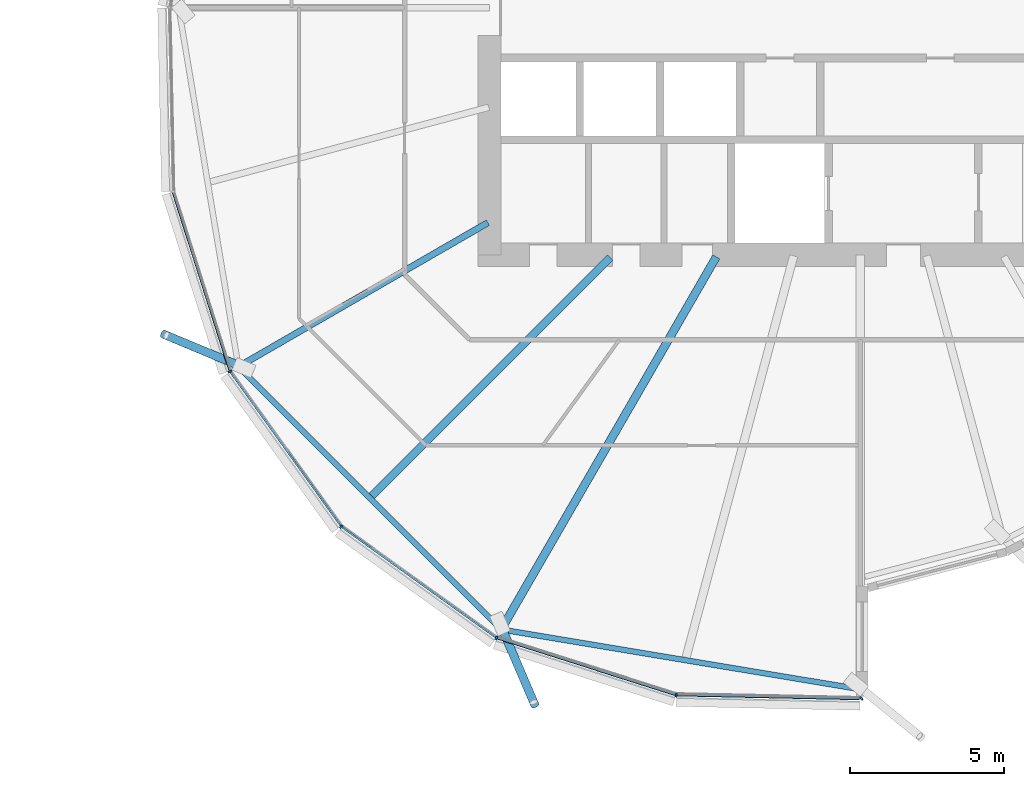
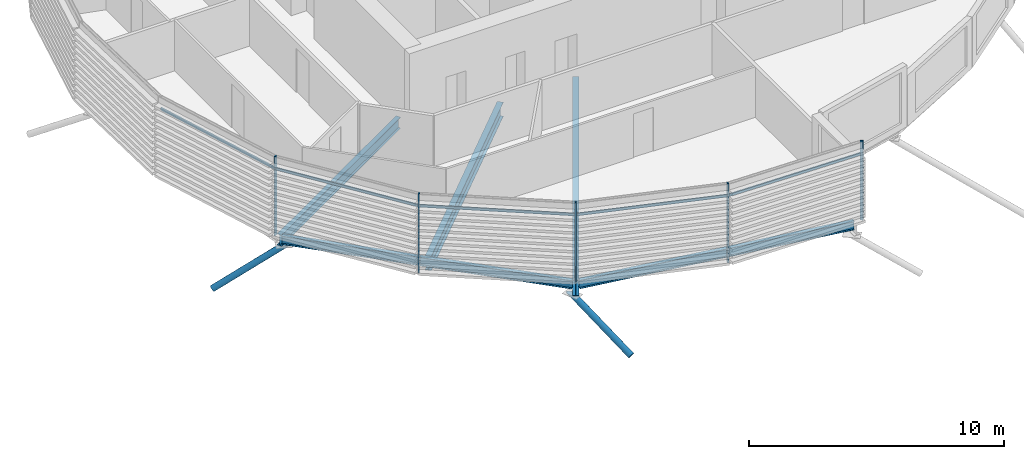
# One storey, part 12 of 40: 12 members, 5 beams, 1 element without a shape of its own.
"""IFC4 building model written with IfcOpenShell, lengths in metres."""

import ifcopenshell
import ifcopenshell.guid

model = None  # the IFC model being written
_history = None  # IfcOwnerHistory: only IFC2X3 demands one
_inside = {}  # id of a spatial element -> (the spatial element, [elements in it])
_under = {}  # id of a project, library or spatial element -> (it, [spatial elements below it])
_declared = {}  # id of a project -> (the project, [libraries it declares])
_typed = {}  # id of a type object -> (the type object, [elements of that type])
_made_of = {}  # id of a material, layer set ... -> (it, [elements and type objects made of it])


def new_model(schema):
    """Start an empty IFC model of exactly this schema.

    Asked for "IFC4X3", IfcOpenShell would pick the latest addendum, in which some entities
    have other attributes; the version numbers below select the first issue.
    IFC2X3 requires an IfcOwnerHistory on every rooted entity: one is made here for all.
    """
    global model, _history
    if schema == "IFC4X3":
        model = ifcopenshell.file(schema_version=(4, 3, 0, 0))
    else:
        model = ifcopenshell.file(schema=schema)
    _inside.clear()
    _under.clear()
    _declared.clear()
    _typed.clear()
    _made_of.clear()
    _history = None
    if model.schema == "IFC2X3":
        org = make("IfcOrganization", Name="unknown")
        user = make(
            "IfcPersonAndOrganization",
            ThePerson=make("IfcPerson", FamilyName="unknown"),
            TheOrganization=org,
        )
        app = make(
            "IfcApplication",
            ApplicationDeveloper=org,
            Version="unknown",
            ApplicationFullName="unknown",
            ApplicationIdentifier="unknown",
        )
        _history = make(
            "IfcOwnerHistory",
            OwningUser=user,
            OwningApplication=app,
            ChangeAction="ADDED",
            CreationDate=0,
        )
    return model


def make(cls, **values):
    """One entity of the class cls with the attributes given. An attribute that is None is left unset."""
    return model.create_entity(
        cls, **{name: value for name, value in values.items() if value is not None}
    )


def rooted(cls, **values):
    """An entity with a GlobalId (a new one), such as an element, a storey or a relation."""
    return make(cls, GlobalId=ifcopenshell.guid.new(), OwnerHistory=_history, **values)


def si_unit(unit_type, name, prefix=None):
    """IfcSIUnit, for example si_unit("LENGTHUNIT", "METRE", prefix="MILLI")."""
    return make("IfcSIUnit", UnitType=unit_type, Prefix=prefix, Name=name)


def assignment(units):
    """IfcUnitAssignment: the units of a project."""
    return None if units is None else make("IfcUnitAssignment", Units=units)


def point(xyz):
    """IfcCartesianPoint."""
    return None if xyz is None else make("IfcCartesianPoint", Coordinates=xyz)


def direction(xyz):
    """IfcDirection."""
    return None if xyz is None else make("IfcDirection", DirectionRatios=xyz)


def frame(location, z_axis=None, x_axis=None):
    """IfcAxis2Placement3D, a coordinate frame: its origin and axes. An axis left out is left unset."""
    return make(
        "IfcAxis2Placement3D",
        Location=point(location),
        Axis=direction(z_axis),
        RefDirection=direction(x_axis),
    )


def frame_2d(location, x_axis=None):
    """IfcAxis2Placement2D, a coordinate frame in the plane: its origin and x axis."""
    return make(
        "IfcAxis2Placement2D", Location=point(location), RefDirection=direction(x_axis)
    )


def origin():
    """The frame at (0, 0, 0) with its axes left unset."""
    return frame((0.0, 0.0, 0.0))


def origin_2d():
    """The frame at (0, 0) in the plane with its x axis left unset."""
    return frame_2d((0.0, 0.0))


def place(relative_to, where):
    """IfcLocalPlacement: puts the frame where relative to a parent placement (None: the world)."""
    return make(
        "IfcLocalPlacement", PlacementRelTo=relative_to, RelativePlacement=where
    )


def context(
    kind, dimensions, precision=None, world=None, true_north=None, identifier=None
):
    """IfcGeometricRepresentationContext, for example the 3D "Model" context."""
    return make(
        "IfcGeometricRepresentationContext",
        ContextIdentifier=identifier,
        ContextType=kind,
        CoordinateSpaceDimension=dimensions,
        Precision=precision,
        WorldCoordinateSystem=world,
        TrueNorth=true_north,
    )


def subcontext(parent, identifier, kind, view, scale=None):
    """IfcGeometricRepresentationSubContext, for example "Body" below "Model"."""
    return make(
        "IfcGeometricRepresentationSubContext",
        ContextIdentifier=identifier,
        ContextType=kind,
        ParentContext=parent,
        TargetScale=scale,
        TargetView=view,
    )


def project(units=None, contexts=None):
    """IfcProject with its units and contexts."""
    return rooted(
        "IfcProject",
        Name="project",
        RepresentationContexts=contexts,
        UnitsInContext=assignment(units),
    )


def spatial(cls, under=None, at=None, **own):
    """A site, building, storey or space (cls), placed at a placement, below another one or the project."""
    s = rooted(cls, ObjectPlacement=at, **own)
    if under is not None:
        _under.setdefault(under.id(), (under, []))[1].append(s)
    return s


def profile(cls, at=None, kind="AREA", **sizes):
    """A parametric profile (cls). Its sizes go by their IFC names, for example OverallWidth=200.0."""
    return make(cls, ProfileType=kind, Position=at, **sizes)


def rectangle(**sizes):
    """IfcRectangleProfileDef."""
    return profile("IfcRectangleProfileDef", **sizes)


def hollow_circle(**sizes):
    """IfcCircleHollowProfileDef."""
    return profile("IfcCircleHollowProfileDef", **sizes)


def i_section(**sizes):
    """IfcIShapeProfileDef."""
    return profile("IfcIShapeProfileDef", **sizes)


def extrude(swept, where, along, depth):
    """IfcExtrudedAreaSolid: the profile swept, set in the frame where, extruded along a direction by depth."""
    return make(
        "IfcExtrudedAreaSolid",
        SweptArea=swept,
        Position=where,
        ExtrudedDirection=direction(along),
        Depth=depth,
    )


def clip(a, b, op="DIFFERENCE"):
    """IfcBooleanClippingResult: the solid a cut by the half space b."""
    return make(
        "IfcBooleanClippingResult", Operator=op, FirstOperand=a, SecondOperand=b
    )


def halfspace(plane, agree):
    """IfcHalfSpaceSolid: all space on one side of the plane z = 0 of the frame plane."""
    return make(
        "IfcHalfSpaceSolid",
        BaseSurface=make("IfcPlane", Position=plane),
        AgreementFlag=agree,
    )


def shape(context_of_items, identifier, shape_type, items):
    """IfcShapeRepresentation: the items that make up one representation, for example the "Body"."""
    return make(
        "IfcShapeRepresentation",
        ContextOfItems=context_of_items,
        RepresentationIdentifier=identifier,
        RepresentationType=shape_type,
        Items=items,
    )


def material(Name=None, Category=None):
    """IfcMaterial."""
    return make("IfcMaterial", Name=Name, Category=Category)


def material_profile(
    of_material, cross_section, Name=None, Category=None, Priority=None
):
    """IfcMaterialProfile: a cross section and its material."""
    return make(
        "IfcMaterialProfile",
        Name=Name,
        Material=of_material,
        Profile=cross_section,
        Priority=Priority,
        Category=Category,
    )


def profile_set(profiles, Name=None, composite=None):
    """IfcMaterialProfileSet."""
    return make(
        "IfcMaterialProfileSet",
        Name=Name,
        MaterialProfiles=profiles,
        CompositeProfile=composite,
    )


def made_of(thing, what):
    """Note that an element or type object is made of a material, layer set ...; save() writes the relation."""
    if what is not None:
        _made_of.setdefault(what.id(), (what, []))[1].append(thing)
    return thing


def type_object(cls, material=None, **own):
    """A type object (cls), such as IfcWallType, which elements share."""
    return made_of(rooted(cls, **own), material)


def element(
    cls,
    number,
    at=None,
    inside=None,
    cuts=None,
    type_object=None,
    material=None,
    context=None,
    identifier="Body",
    shape_type=None,
    held_by="IfcProductDefinitionShape",
    body=None,
    shapes=None,
    **own,
):
    """One element of the class cls, such as IfcWall. Its Tag is "e" and its number.

    at: its placement. inside: the storey or other place that contains it. cuts: it is an
    opening in that element (IfcRelVoidsElement). A single representation is given by context,
    identifier, shape_type and body (its items); several are given by shapes. held_by: the class
    of the entity that holds the representations. save() writes the other relations.
    """
    e = rooted(cls, Tag="e%d" % number, ObjectPlacement=at, **own)
    if body is not None:
        shapes = [shape(context, identifier, shape_type, body)]
    if shapes is not None:
        e.Representation = make(held_by, Representations=shapes)
    if inside is not None:
        _inside.setdefault(inside.id(), (inside, []))[1].append(e)
    if cuts is not None:
        rooted(
            "IfcRelVoidsElement", RelatingBuildingElement=cuts, RelatedOpeningElement=e
        )
    if type_object is not None:
        _typed.setdefault(type_object.id(), (type_object, []))[1].append(e)
    return made_of(e, material)


def aggregate(whole, parts):
    """IfcRelAggregates: a whole, such as a stair, and the parts it consists of."""
    return rooted("IfcRelAggregates", RelatingObject=whole, RelatedObjects=parts)


def save(model, path):
    """Write the relations noted so far, then the file.

    IfcRelAggregates (storeys below a building ...), IfcRelContainedInSpatialStructure (elements
    in a storey), IfcRelDefinesByType, IfcRelAssociatesMaterial and IfcRelDeclares: one each for
    every whole, place, type object, material and project.
    """
    for whole, parts in _under.values():
        aggregate(whole, parts)
    for where, things in _inside.values():
        rooted(
            "IfcRelContainedInSpatialStructure",
            RelatedElements=things,
            RelatingStructure=where,
        )
    for kind, things in _typed.values():
        rooted("IfcRelDefinesByType", RelatedObjects=things, RelatingType=kind)
    for what, things in _made_of.values():
        rooted("IfcRelAssociatesMaterial", RelatedObjects=things, RelatingMaterial=what)
    for by, libraries in _declared.values():
        rooted("IfcRelDeclares", RelatingContext=by, RelatedDefinitions=libraries)
    model.write(path)


model = new_model("IFC4")

# Units and contexts
model_context = context("Model", 3, precision=1e-05, world=origin(), true_north=direction((0.0, 1.0)))
body_context = subcontext(model_context, "Body", "Model", "MODEL_VIEW")
ifc_project = project(units=[si_unit("LENGTHUNIT", "METRE"), si_unit("AREAUNIT", "SQUARE_METRE"), si_unit("VOLUMEUNIT", "CUBIC_METRE"), si_unit("PLANEANGLEUNIT", "RADIAN"), si_unit("MASSUNIT", "GRAM", prefix="KILO")], contexts=[model_context])

# Site, building, storey
site_placement = place(None, origin())
site = spatial("IfcSite", under=ifc_project, at=site_placement, CompositionType="ELEMENT")
building_placement = place(site_placement, origin())
building = spatial("IfcBuilding", under=site, at=building_placement, Name="Rimbun Link Towers", CompositionType="ELEMENT")
storey_placement = place(building_placement, frame((0.0, 0.0, 89.199951171875)))
storey = spatial("IfcBuildingStorey", under=building, at=storey_placement, Name="L21", CompositionType="ELEMENT", Elevation=89.199951171875)

# Curtain wall, members
ifc_material_1 = material(Name="Aluminium 6063-T6 and low-iron glass", Category="aluminium")
curtain_wall_type = type_object("IfcCurtainWallType", Name="CW1-Z2 unitised vision wall (zone 2)", PredefinedType="NOTDEFINED", material=ifc_material_1)
curtain_wall_placement = place(storey_placement, origin())
curtain_wall = element("IfcCurtainWall", 1, at=curtain_wall_placement, inside=storey, type_object=curtain_wall_type, Name="CW1 L21 T2", PredefinedType="NOTDEFINED")
ifc_material_2 = material(Name="Aluminium 6063-T6", Category="aluminium")
ifc_material_profile_1 = material_profile(ifc_material_2, rectangle(XDim=0.1201171875, YDim=0.06005859375, at=origin_2d()), Name="MULLION 60X120")
ifc_profile_set_1 = profile_set([ifc_material_profile_1], Name="Aluminium 6063-T6")
member_type_1 = type_object("IfcMemberType", Name="CW1 mullion 60X120", PredefinedType="MULLION", material=ifc_profile_set_1)
member_1_placement = place(storey_placement, frame((11.339111328125, -11.780029296875, 0.0), z_axis=(0.0, 0.0, 1.0), x_axis=(-0.893746632665, -0.448572130878, 0.0)))
member_1 = element("IfcMember", 2, at=member_1_placement, type_object=member_type_1, Name="CW1 mullion", PredefinedType="MULLION", context=body_context, shape_type="SweptSolid", body=[
    extrude(rectangle(XDim=0.1201171875, YDim=0.06005859375, at=origin_2d()), origin(), (0.0, 0.0, 1.0), 3.800048828125),
])
member_2_placement = place(storey_placement, frame((14.945068359375, -16.804931640625, 0.0), z_axis=(0.0, 0.0, 1.0), x_axis=(-0.707106781187, -0.707106781187, 0.0)))
member_2 = element("IfcMember", 3, at=member_2_placement, type_object=member_type_1, Name="CW1 mullion", PredefinedType="MULLION", context=body_context, shape_type="SweptSolid", body=[
    extrude(rectangle(XDim=0.1201171875, YDim=0.06005859375, at=origin_2d()), origin(), (0.0, 0.0, 1.0), 3.800048828125),
])
member_3_placement = place(storey_placement, frame((19.969970703125, -20.410888671875, 0.0), z_axis=(0.0, 0.0, 1.0), x_axis=(-0.448572130878, -0.893746632665, 0.0)))
member_3 = element("IfcMember", 4, at=member_3_placement, type_object=member_type_1, Name="CW1 mullion", PredefinedType="MULLION", context=body_context, shape_type="SweptSolid", body=[
    extrude(rectangle(XDim=0.1201171875, YDim=0.06005859375, at=origin_2d()), origin(), (0.0, 0.0, 1.0), 3.800048828125),
])
member_4_placement = place(storey_placement, frame((25.790771484375, -22.26220703125, 0.0), z_axis=(0.0, 0.0, 1.0), x_axis=(-0.163744728794, -0.986502743935, 0.0)))
member_4 = element("IfcMember", 5, at=member_4_placement, type_object=member_type_1, Name="CW1 mullion", PredefinedType="MULLION", context=body_context, shape_type="SweptSolid", body=[
    extrude(rectangle(XDim=0.1201171875, YDim=0.06005859375, at=origin_2d()), origin(), (0.0, 0.0, 1.0), 3.800048828125),
])
member_5_placement = place(storey_placement, frame((31.7919921875, -22.37109375, 0.0), z_axis=(0.0, 0.0, 1.0), x_axis=(0.699622529752, -0.7145126422, 0.0)))
member_5 = element("IfcMember", 6, at=member_5_placement, type_object=member_type_1, Name="CW1 mullion", PredefinedType="MULLION", context=body_context, shape_type="SweptSolid", body=[
    extrude(rectangle(XDim=0.1201171875, YDim=0.06005859375, at=origin_2d()), origin(), (0.0, 0.0, 1.0), 3.800048828125),
])
ifc_material_3 = material(Name="Aluminium 6063-T6", Category="aluminium")
ifc_material_profile_2 = material_profile(ifc_material_3, rectangle(XDim=0.06005859375, YDim=0.1201171875, at=origin_2d()), Name="TRANSOM 60X120")
ifc_profile_set_2 = profile_set([ifc_material_profile_2], Name="Aluminium 6063-T6")
member_type_2 = type_object("IfcMemberType", Name="CW1 transom 60X120", PredefinedType="USERDEFINED", material=ifc_profile_set_2)
member_6_placement = place(storey_placement, frame((11.328369140625, -11.7421875, 3.199951171875), z_axis=(-0.303068300191, 0.952968837591, 0.0), x_axis=(-0.952968837591, -0.303068300191, 0.0)))
member_6 = element("IfcMember", 7, at=member_6_placement, type_object=member_type_2, Name="CW1 transom", ObjectType="TRANSOM", PredefinedType="USERDEFINED", context=body_context, shape_type="SweptSolid", body=[
    extrude(rectangle(XDim=0.06005859375, YDim=0.1201171875, at=origin_2d()), origin(), (0.0, 0.0, 1.0), 6.030517578125),
])
member_7_placement = place(storey_placement, frame((14.9228515625, -16.77197265625, 3.199951171875), z_axis=(-0.582995679028, 0.812475253921, 0.0), x_axis=(-0.812475253921, -0.582995679028, 0.0)))
member_7 = element("IfcMember", 8, at=member_7_placement, type_object=member_type_2, Name="CW1 transom", ObjectType="TRANSOM", PredefinedType="USERDEFINED", context=body_context, shape_type="SweptSolid", body=[
    extrude(rectangle(XDim=0.06005859375, YDim=0.1201171875, at=origin_2d()), origin(), (0.0, 0.0, 1.0), 6.105712890625),
])
member_8_placement = place(storey_placement, frame((19.938720703125, -20.38671875, 3.199951171875), z_axis=(-0.812475253921, 0.582995679028, 0.0), x_axis=(-0.582995679028, -0.812475253921, 0.0)))
member_8 = element("IfcMember", 9, at=member_8_placement, type_object=member_type_2, Name="CW1 transom", ObjectType="TRANSOM", PredefinedType="USERDEFINED", context=body_context, shape_type="SweptSolid", body=[
    extrude(rectangle(XDim=0.06005859375, YDim=0.1201171875, at=origin_2d()), origin(), (0.0, 0.0, 1.0), 6.105712890625),
])
member_9_placement = place(storey_placement, frame((25.754638671875, -22.249267578125, 3.199951171875), z_axis=(-0.952968837591, 0.303068300191, 0.0), x_axis=(-0.303068300191, -0.952968837591, 0.0)))
member_9 = element("IfcMember", 10, at=member_9_placement, type_object=member_type_2, Name="CW1 transom", ObjectType="TRANSOM", PredefinedType="USERDEFINED", context=body_context, shape_type="SweptSolid", body=[
    extrude(rectangle(XDim=0.06005859375, YDim=0.1201171875, at=origin_2d()), origin(), (0.0, 0.0, 1.0), 6.030517578125),
])
member_10_placement = place(storey_placement, frame((31.71875, -22.3857421875, 3.199951171875), z_axis=(-0.999778320072, 0.021054945137, 0.0), x_axis=(-0.021054945137, -0.999778320072, 0.0)))
member_10 = element("IfcMember", 11, at=member_10_placement, type_object=member_type_2, Name="CW1 transom", ObjectType="TRANSOM", PredefinedType="USERDEFINED", context=body_context, shape_type="SweptSolid", body=[
    extrude(rectangle(XDim=0.06005859375, YDim=0.1201171875, at=origin_2d()), origin(), (0.0, 0.0, 1.0), 5.890380859375),
])
aggregate(curtain_wall, [member_1, member_2, member_3, member_4, member_5, member_6, member_7, member_8, member_9, member_10])

# Members
ifc_material_4 = material(Name="Steel S355J2H", Category="steel")
ifc_material_profile_3 = material_profile(ifc_material_4, hollow_circle(Radius=0.136474609375, WallThickness=0.012451171875, at=origin_2d()), Name="CHS 273x12.5")
ifc_profile_set_3 = profile_set([ifc_material_profile_3], Name="Steel S355J2H")
member_type_3 = type_object("IfcMemberType", Name="Floor edge link CHS 273x12.5", PredefinedType="BRACE", material=ifc_profile_set_3)
member_11_placement = place(storey_placement, frame((11.65771484375, -11.600341796875, -0.807861328125), z_axis=(-0.77572077803, 0.323325249911, -0.541957615781), x_axis=(-0.384725143643, -0.92303118249, 0.0)))
element("IfcMember", 12, at=member_11_placement, inside=storey, type_object=member_type_3, Name="Floor edge link T2 L21 11", PredefinedType="BRACE", context=body_context, shape_type="Clipping", body=[
    clip(extrude(hollow_circle(Radius=0.136474609375, WallThickness=0.012451171875, at=origin_2d()), frame((0.0, 0.0, -0.44189453125)), (0.0, 0.0, 1.0), 3.63671875), halfspace(frame((0.0, 0.0, -0.208251953125), z_axis=(0.0, 0.840405820242, -0.541957615781)), False)),
])
member_12_placement = place(storey_placement, frame((20.149658203125, -20.09228515625, -1.0390625), z_axis=(0.337598417549, -0.787447539567, -0.515706971931), x_axis=(0.919093929687, 0.394038511331, 0.0)))
element("IfcMember", 13, at=member_12_placement, inside=storey, type_object=member_type_3, Name="Floor edge link T2 L21 13", PredefinedType="BRACE", context=body_context, shape_type="Clipping", body=[
    clip(extrude(hollow_circle(Radius=0.136474609375, WallThickness=0.012451171875, at=origin_2d()), frame((0.0, 0.0, -0.472900390625)), (0.0, 0.0, 1.0), 3.646240234375), halfspace(frame((0.0, 0.0, -0.222900390625), z_axis=(0.0, 0.856765031442, -0.515706971931)), False)),
])

# Beams
ifc_material_5 = material(Name="Steel S355J2", Category="steel")
ifc_material_profile_4 = material_profile(ifc_material_5, i_section(OverallWidth=0.177978515625, OverallDepth=0.406494140625, WebThickness=0.0078125, FlangeThickness=0.0126953125, at=origin_2d()), Name="UB 406x178x60")
ifc_profile_set_4 = profile_set([ifc_material_profile_4], Name="Steel S355J2")
beam_type_1 = type_object("IfcBeamType", Name="UB 406x178x60", PredefinedType="BEAM", material=ifc_profile_set_4)
beam_1_placement = place(storey_placement, frame((11.69189453125, -11.70263671875, -0.363037109375), z_axis=(0.707106781187, -0.707106781187, 0.0), x_axis=(0.707106781187, 0.707106781187, 0.0)))
element("IfcBeam", 14, at=beam_1_placement, inside=storey, type_object=beam_type_1, Name="Edge beam T2 L21 11-13", PredefinedType="BEAM", context=body_context, shape_type="SweptSolid", body=[
    extrude(i_section(OverallWidth=0.177978515625, OverallDepth=0.406494140625, WebThickness=0.0078125, FlangeThickness=0.0126953125, at=origin_2d()), origin(), (0.0, 0.0, 1.0), 11.78662109375),
])
beam_2_placement = place(storey_placement, frame((20.26611328125, -20.1591796875, -0.363037109375), z_axis=(0.986421437148, -0.164233822138, 0.0), x_axis=(0.164233822138, 0.986421437148, 0.0)))
element("IfcBeam", 15, at=beam_2_placement, inside=storey, type_object=beam_type_1, Name="Edge beam T2 L21 13-15", PredefinedType="BEAM", context=body_context, shape_type="SweptSolid", body=[
    extrude(i_section(OverallWidth=0.177978515625, OverallDepth=0.406494140625, WebThickness=0.0078125, FlangeThickness=0.0126953125, at=origin_2d()), origin(), (0.0, 0.0, 1.0), 11.505859375),
])
ifc_material_6 = material(Name="Steel S355J2", Category="steel")
ifc_material_profile_5 = material_profile(ifc_material_6, i_section(OverallWidth=0.209228515625, OverallDepth=0.533203125, WebThickness=0.010009765625, FlangeThickness=0.015625, at=origin_2d()), Name="UB 533x210x92")
ifc_profile_set_5 = profile_set([ifc_material_profile_5], Name="Steel S355J2")
beam_type_2 = type_object("IfcBeamType", Name="UB 533x210x92", PredefinedType="BEAM", material=ifc_profile_set_5)
beam_3_placement = place(storey_placement, frame((19.69677734375, -6.958984375, -0.426513671875), z_axis=(-0.866027450242, -0.499996455414, 0.0), x_axis=(0.499996455414, -0.866027450242, 0.0)))
element("IfcBeam", 16, at=beam_3_placement, inside=storey, type_object=beam_type_2, Name="Radial beam T2 L21 11", PredefinedType="BEAM", context=body_context, shape_type="SweptSolid", body=[
    extrude(i_section(OverallWidth=0.209228515625, OverallDepth=0.533203125, WebThickness=0.010009765625, FlangeThickness=0.015625, at=origin_2d()), origin(), (0.0, 0.0, 1.0), 9.33251953125),
])
ifc_material_7 = material(Name="Steel S355J2", Category="steel")
ifc_material_profile_6 = material_profile(ifc_material_7, i_section(OverallWidth=0.253662109375, OverallDepth=0.68359375, WebThickness=0.012451171875, FlangeThickness=0.01904296875, at=origin_2d()), Name="UB 686x254x140")
ifc_profile_set_6 = profile_set([ifc_material_profile_6], Name="Steel S355J2")
beam_type_3 = type_object("IfcBeamType", Name="UB 686x254x140", PredefinedType="BEAM", material=ifc_profile_set_6)
beam_4_placement = place(storey_placement, frame((23.65966796875, -8.09033203125, -0.501708984375), z_axis=(-0.707106781187, -0.707106781187, 0.0), x_axis=(0.707106781187, -0.707106781187, 0.0)))
element("IfcBeam", 17, at=beam_4_placement, inside=storey, type_object=beam_type_3, Name="Radial beam T2 L21 12", PredefinedType="BEAM", context=body_context, shape_type="SweptSolid", body=[
    extrude(i_section(OverallWidth=0.253662109375, OverallDepth=0.68359375, WebThickness=0.012451171875, FlangeThickness=0.01904296875, at=origin_2d()), origin(), (0.0, 0.0, 1.0), 10.927001953125),
])
ifc_material_8 = material(Name="Steel S355J2", Category="steel")
ifc_material_profile_7 = material_profile(ifc_material_8, i_section(OverallWidth=0.2666015625, OverallDepth=0.76220703125, WebThickness=0.014404296875, FlangeThickness=0.021484375, at=origin_2d()), Name="UB 762x267x173")
ifc_profile_set_7 = profile_set([ifc_material_profile_7], Name="Steel S355J2")
beam_type_4 = type_object("IfcBeamType", Name="UB 762x267x173", PredefinedType="BEAM", material=ifc_profile_set_7)
beam_5_placement = place(storey_placement, frame((27.09228515625, -8.0673828125, -0.541015625), z_axis=(-0.499999984806, -0.866025412557, 0.0), x_axis=(0.866025412557, -0.499999984806, 0.0)))
element("IfcBeam", 18, at=beam_5_placement, inside=storey, type_object=beam_type_4, Name="Radial beam T2 L21 13", PredefinedType="BEAM", context=body_context, shape_type="SweptSolid", body=[
    extrude(i_section(OverallWidth=0.2666015625, OverallDepth=0.76220703125, WebThickness=0.014404296875, FlangeThickness=0.021484375, at=origin_2d()), origin(), (0.0, 0.0, 1.0), 13.93505859375),
])

save(model, "model.ifc")
